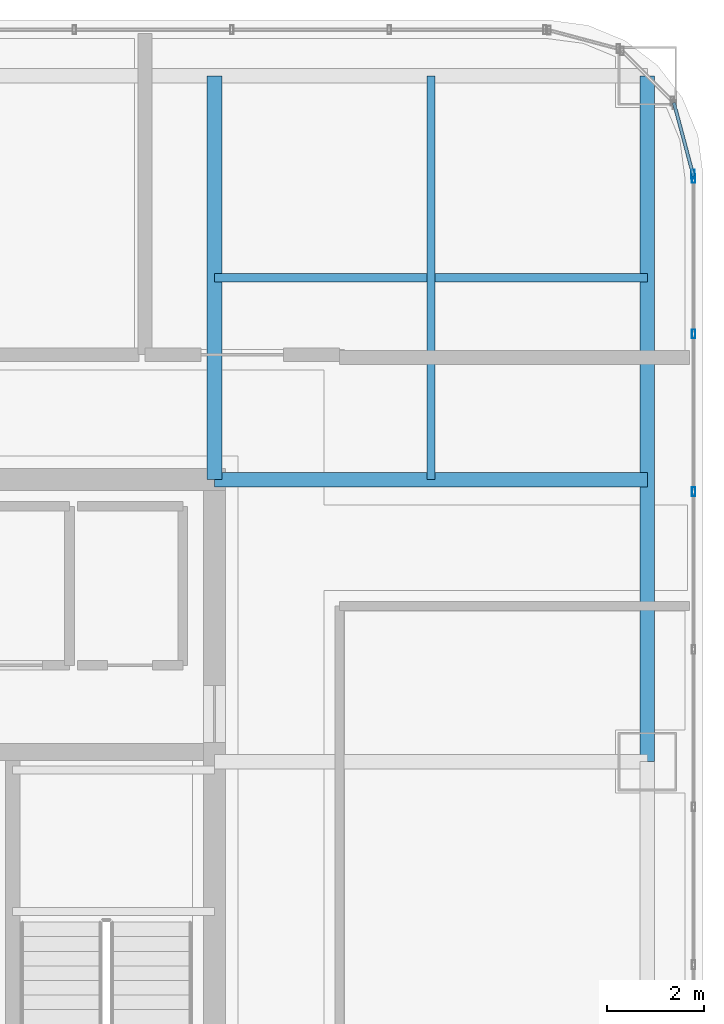
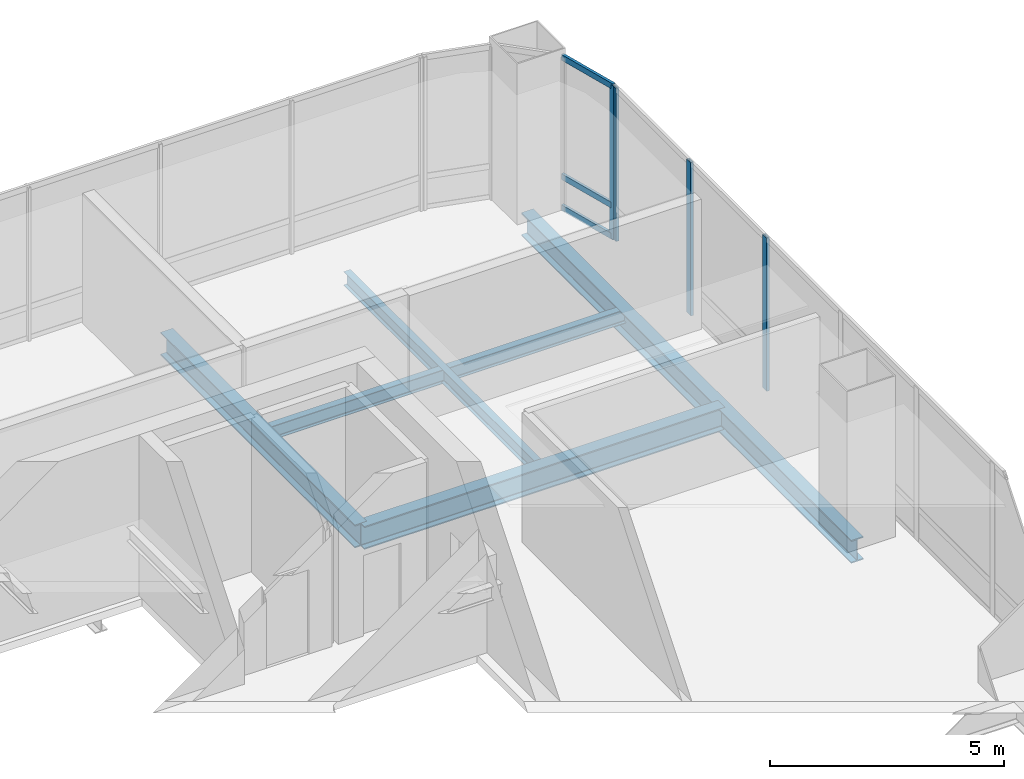
# One storey, part 30 of 42: 7 members, 5 beams, 2 elements without a shape of their own.
"""IFC4 building model written with IfcOpenShell, lengths in metres."""

import ifcopenshell
import ifcopenshell.guid

model = None  # the IFC model being written
_history = None  # IfcOwnerHistory: only IFC2X3 demands one
_inside = {}  # id of a spatial element -> (the spatial element, [elements in it])
_under = {}  # id of a project, library or spatial element -> (it, [spatial elements below it])
_declared = {}  # id of a project -> (the project, [libraries it declares])
_typed = {}  # id of a type object -> (the type object, [elements of that type])
_made_of = {}  # id of a material, layer set ... -> (it, [elements and type objects made of it])


def new_model(schema):
    """Start an empty IFC model of exactly this schema.

    Asked for "IFC4X3", IfcOpenShell would pick the latest addendum, in which some entities
    have other attributes; the version numbers below select the first issue.
    IFC2X3 requires an IfcOwnerHistory on every rooted entity: one is made here for all.
    """
    global model, _history
    if schema == "IFC4X3":
        model = ifcopenshell.file(schema_version=(4, 3, 0, 0))
    else:
        model = ifcopenshell.file(schema=schema)
    _inside.clear()
    _under.clear()
    _declared.clear()
    _typed.clear()
    _made_of.clear()
    _history = None
    if model.schema == "IFC2X3":
        org = make("IfcOrganization", Name="unknown")
        user = make(
            "IfcPersonAndOrganization",
            ThePerson=make("IfcPerson", FamilyName="unknown"),
            TheOrganization=org,
        )
        app = make(
            "IfcApplication",
            ApplicationDeveloper=org,
            Version="unknown",
            ApplicationFullName="unknown",
            ApplicationIdentifier="unknown",
        )
        _history = make(
            "IfcOwnerHistory",
            OwningUser=user,
            OwningApplication=app,
            ChangeAction="ADDED",
            CreationDate=0,
        )
    return model


def make(cls, **values):
    """One entity of the class cls with the attributes given. An attribute that is None is left unset."""
    return model.create_entity(
        cls, **{name: value for name, value in values.items() if value is not None}
    )


def rooted(cls, **values):
    """An entity with a GlobalId (a new one), such as an element, a storey or a relation."""
    return make(cls, GlobalId=ifcopenshell.guid.new(), OwnerHistory=_history, **values)


def si_unit(unit_type, name, prefix=None):
    """IfcSIUnit, for example si_unit("LENGTHUNIT", "METRE", prefix="MILLI")."""
    return make("IfcSIUnit", UnitType=unit_type, Prefix=prefix, Name=name)


def assignment(units):
    """IfcUnitAssignment: the units of a project."""
    return None if units is None else make("IfcUnitAssignment", Units=units)


def point(xyz):
    """IfcCartesianPoint."""
    return None if xyz is None else make("IfcCartesianPoint", Coordinates=xyz)


def direction(xyz):
    """IfcDirection."""
    return None if xyz is None else make("IfcDirection", DirectionRatios=xyz)


def frame(location, z_axis=None, x_axis=None):
    """IfcAxis2Placement3D, a coordinate frame: its origin and axes. An axis left out is left unset."""
    return make(
        "IfcAxis2Placement3D",
        Location=point(location),
        Axis=direction(z_axis),
        RefDirection=direction(x_axis),
    )


def frame_2d(location, x_axis=None):
    """IfcAxis2Placement2D, a coordinate frame in the plane: its origin and x axis."""
    return make(
        "IfcAxis2Placement2D", Location=point(location), RefDirection=direction(x_axis)
    )


def origin():
    """The frame at (0, 0, 0) with its axes left unset."""
    return frame((0.0, 0.0, 0.0))


def origin_2d():
    """The frame at (0, 0) in the plane with its x axis left unset."""
    return frame_2d((0.0, 0.0))


def place(relative_to, where):
    """IfcLocalPlacement: puts the frame where relative to a parent placement (None: the world)."""
    return make(
        "IfcLocalPlacement", PlacementRelTo=relative_to, RelativePlacement=where
    )


def context(
    kind, dimensions, precision=None, world=None, true_north=None, identifier=None
):
    """IfcGeometricRepresentationContext, for example the 3D "Model" context."""
    return make(
        "IfcGeometricRepresentationContext",
        ContextIdentifier=identifier,
        ContextType=kind,
        CoordinateSpaceDimension=dimensions,
        Precision=precision,
        WorldCoordinateSystem=world,
        TrueNorth=true_north,
    )


def subcontext(parent, identifier, kind, view, scale=None):
    """IfcGeometricRepresentationSubContext, for example "Body" below "Model"."""
    return make(
        "IfcGeometricRepresentationSubContext",
        ContextIdentifier=identifier,
        ContextType=kind,
        ParentContext=parent,
        TargetScale=scale,
        TargetView=view,
    )


def project(units=None, contexts=None):
    """IfcProject with its units and contexts."""
    return rooted(
        "IfcProject",
        Name="project",
        RepresentationContexts=contexts,
        UnitsInContext=assignment(units),
    )


def spatial(cls, under=None, at=None, **own):
    """A site, building, storey or space (cls), placed at a placement, below another one or the project."""
    s = rooted(cls, ObjectPlacement=at, **own)
    if under is not None:
        _under.setdefault(under.id(), (under, []))[1].append(s)
    return s


def profile(cls, at=None, kind="AREA", **sizes):
    """A parametric profile (cls). Its sizes go by their IFC names, for example OverallWidth=200.0."""
    return make(cls, ProfileType=kind, Position=at, **sizes)


def hollow_rectangle(**sizes):
    """IfcRectangleHollowProfileDef."""
    return profile("IfcRectangleHollowProfileDef", **sizes)


def i_section(**sizes):
    """IfcIShapeProfileDef."""
    return profile("IfcIShapeProfileDef", **sizes)


def extrude(swept, where, along, depth):
    """IfcExtrudedAreaSolid: the profile swept, set in the frame where, extruded along a direction by depth."""
    return make(
        "IfcExtrudedAreaSolid",
        SweptArea=swept,
        Position=where,
        ExtrudedDirection=direction(along),
        Depth=depth,
    )


def shape(context_of_items, identifier, shape_type, items):
    """IfcShapeRepresentation: the items that make up one representation, for example the "Body"."""
    return make(
        "IfcShapeRepresentation",
        ContextOfItems=context_of_items,
        RepresentationIdentifier=identifier,
        RepresentationType=shape_type,
        Items=items,
    )


def material(Name=None, Category=None):
    """IfcMaterial."""
    return make("IfcMaterial", Name=Name, Category=Category)


def material_profile(
    of_material, cross_section, Name=None, Category=None, Priority=None
):
    """IfcMaterialProfile: a cross section and its material."""
    return make(
        "IfcMaterialProfile",
        Name=Name,
        Material=of_material,
        Profile=cross_section,
        Priority=Priority,
        Category=Category,
    )


def profile_set(profiles, Name=None, composite=None):
    """IfcMaterialProfileSet."""
    return make(
        "IfcMaterialProfileSet",
        Name=Name,
        MaterialProfiles=profiles,
        CompositeProfile=composite,
    )


def made_of(thing, what):
    """Note that an element or type object is made of a material, layer set ...; save() writes the relation."""
    if what is not None:
        _made_of.setdefault(what.id(), (what, []))[1].append(thing)
    return thing


def type_object(cls, material=None, **own):
    """A type object (cls), such as IfcWallType, which elements share."""
    return made_of(rooted(cls, **own), material)


def element(
    cls,
    number,
    at=None,
    inside=None,
    cuts=None,
    type_object=None,
    material=None,
    context=None,
    identifier="Body",
    shape_type=None,
    held_by="IfcProductDefinitionShape",
    body=None,
    shapes=None,
    **own,
):
    """One element of the class cls, such as IfcWall. Its Tag is "e" and its number.

    at: its placement. inside: the storey or other place that contains it. cuts: it is an
    opening in that element (IfcRelVoidsElement). A single representation is given by context,
    identifier, shape_type and body (its items); several are given by shapes. held_by: the class
    of the entity that holds the representations. save() writes the other relations.
    """
    e = rooted(cls, Tag="e%d" % number, ObjectPlacement=at, **own)
    if body is not None:
        shapes = [shape(context, identifier, shape_type, body)]
    if shapes is not None:
        e.Representation = make(held_by, Representations=shapes)
    if inside is not None:
        _inside.setdefault(inside.id(), (inside, []))[1].append(e)
    if cuts is not None:
        rooted(
            "IfcRelVoidsElement", RelatingBuildingElement=cuts, RelatedOpeningElement=e
        )
    if type_object is not None:
        _typed.setdefault(type_object.id(), (type_object, []))[1].append(e)
    return made_of(e, material)


def aggregate(whole, parts):
    """IfcRelAggregates: a whole, such as a stair, and the parts it consists of."""
    return rooted("IfcRelAggregates", RelatingObject=whole, RelatedObjects=parts)


def save(model, path):
    """Write the relations noted so far, then the file.

    IfcRelAggregates (storeys below a building ...), IfcRelContainedInSpatialStructure (elements
    in a storey), IfcRelDefinesByType, IfcRelAssociatesMaterial and IfcRelDeclares: one each for
    every whole, place, type object, material and project.
    """
    for whole, parts in _under.values():
        aggregate(whole, parts)
    for where, things in _inside.values():
        rooted(
            "IfcRelContainedInSpatialStructure",
            RelatedElements=things,
            RelatingStructure=where,
        )
    for kind, things in _typed.values():
        rooted("IfcRelDefinesByType", RelatedObjects=things, RelatingType=kind)
    for what, things in _made_of.values():
        rooted("IfcRelAssociatesMaterial", RelatedObjects=things, RelatingMaterial=what)
    for by, libraries in _declared.values():
        rooted("IfcRelDeclares", RelatingContext=by, RelatedDefinitions=libraries)
    model.write(path)


model = new_model("IFC4")

# Units and contexts
model_context = context("Model", 3, precision=1e-05, world=origin(), true_north=direction((0.0, 1.0)))
body_context = subcontext(model_context, "Body", "Model", "MODEL_VIEW")
ifc_project = project(units=[si_unit("LENGTHUNIT", "METRE"), si_unit("AREAUNIT", "SQUARE_METRE"), si_unit("VOLUMEUNIT", "CUBIC_METRE"), si_unit("PLANEANGLEUNIT", "RADIAN"), si_unit("MASSUNIT", "GRAM", prefix="KILO")], contexts=[model_context])

# Site, building, storey
site_placement = place(None, origin())
site = spatial("IfcSite", under=ifc_project, at=site_placement, CompositionType="ELEMENT")
building_placement = place(site_placement, origin())
building = spatial("IfcBuilding", under=site, at=building_placement, Name="Punatoya Terracotta Tower", CompositionType="ELEMENT")
storey_placement = place(building_placement, frame((0.0, 0.0, 325.800048828125)))
storey = spatial("IfcBuildingStorey", under=building, at=storey_placement, Name="L77", CompositionType="ELEMENT", Elevation=325.800048828125)

# Beams
ifc_material_1 = material(Name="Steel S355", Category="steel")
ifc_material_profile_1 = material_profile(ifc_material_1, i_section(OverallWidth=0.300048828125, OverallDepth=0.60009765625, WebThickness=0.015380859375, FlangeThickness=0.030029296875, FilletRadius=0.01806640625, at=origin_2d()))
ifc_profile_set_1 = profile_set([ifc_material_profile_1], Name="Steel S355")
beam_type_1 = type_object("IfcBeamType", Name="BM-PRI-600", PredefinedType="BEAM", material=ifc_profile_set_1)
beam_1_placement = place(storey_placement, frame((19.10009765625, 3.39990234375, -0.5), z_axis=(0.0, 1.0, 0.0), x_axis=(-1.0, 0.0, 0.0)))
element("IfcBeam", 1, at=beam_1_placement, inside=storey, type_object=beam_type_1, Name="BM-L77-RG-E3", PredefinedType="BEAM", context=body_context, shape_type="SweptSolid", body=[
    extrude(i_section(OverallWidth=0.300048828125, OverallDepth=0.60009765625, WebThickness=0.015380859375, FlangeThickness=0.030029296875, FilletRadius=0.01806640625, at=origin_2d()), origin(), (0.0, 0.0, 1.0), 14.10009765625),
])
beam_2_placement = place(storey_placement, frame((10.199951171875, 9.199951171875, -0.5), z_axis=(1.0, 0.0, 0.0), x_axis=(0.0, 1.0, 0.0)))
element("IfcBeam", 2, at=beam_2_placement, inside=storey, type_object=beam_type_1, Name="BM-L77-PR-EN", PredefinedType="BEAM", context=body_context, shape_type="SweptSolid", body=[
    extrude(i_section(OverallWidth=0.300048828125, OverallDepth=0.60009765625, WebThickness=0.015380859375, FlangeThickness=0.030029296875, FilletRadius=0.01806640625, at=origin_2d()), origin(), (0.0, 0.0, 1.0), 8.900146484375),
])
beam_3_placement = place(storey_placement, frame((10.199951171875, 9.199951171875, -0.5), z_axis=(0.0, 1.0, 0.0), x_axis=(-1.0, 0.0, 0.0)))
element("IfcBeam", 3, at=beam_3_placement, inside=storey, type_object=beam_type_1, Name="BM-L77-PR-N4", PredefinedType="BEAM", context=body_context, shape_type="SweptSolid", body=[
    extrude(i_section(OverallWidth=0.300048828125, OverallDepth=0.60009765625, WebThickness=0.015380859375, FlangeThickness=0.030029296875, FilletRadius=0.01806640625, at=origin_2d()), origin(), (0.0, 0.0, 1.0), 8.300048828125),
])
ifc_material_profile_2 = material_profile(ifc_material_1, i_section(OverallWidth=0.169921875, OverallDepth=0.360107421875, WebThickness=0.008056640625, FlangeThickness=0.0126953125, FilletRadius=0.01806640625, at=origin_2d()))
ifc_profile_set_2 = profile_set([ifc_material_profile_2], Name="Steel S355")
beam_type_2 = type_object("IfcBeamType", Name="BM-SEC-360", PredefinedType="JOIST", material=ifc_profile_set_2)
beam_4_placement = place(storey_placement, frame((10.199951171875, 13.35009765625, -0.380126953125), z_axis=(1.0, 0.0, 0.0), x_axis=(0.0, 1.0, 0.0)))
element("IfcBeam", 4, at=beam_4_placement, inside=storey, type_object=beam_type_2, Name="BM-L77-SJN-2", PredefinedType="JOIST", context=body_context, shape_type="SweptSolid", body=[
    extrude(i_section(OverallWidth=0.169921875, OverallDepth=0.360107421875, WebThickness=0.008056640625, FlangeThickness=0.0126953125, FilletRadius=0.01806640625, at=origin_2d()), origin(), (0.0, 0.0, 1.0), 8.900146484375),
])
beam_5_placement = place(storey_placement, frame((14.64990234375, 9.199951171875, -0.380126953125), z_axis=(0.0, 1.0, 0.0), x_axis=(-1.0, 0.0, 0.0)))
element("IfcBeam", 5, at=beam_5_placement, inside=storey, type_object=beam_type_2, Name="BM-L77-SJE-2", PredefinedType="JOIST", context=body_context, shape_type="SweptSolid", body=[
    extrude(i_section(OverallWidth=0.169921875, OverallDepth=0.360107421875, WebThickness=0.008056640625, FlangeThickness=0.0126953125, FilletRadius=0.01806640625, at=origin_2d()), origin(), (0.0, 0.0, 1.0), 8.300048828125),
])

# Curtain wall, members
ifc_material_2 = material(Name="Aluminium 6063-T6 + Double Low-E Glass", Category="aluminium")
curtain_wall_type = type_object("IfcCurtainWallType", Name="CW-OBS", PredefinedType="NOTDEFINED", material=ifc_material_2)
curtain_wall_1_placement = place(storey_placement, origin())
curtain_wall_1 = element("IfcCurtainWall", 6, at=curtain_wall_1_placement, inside=storey, type_object=curtain_wall_type, Name="L77 Curtain Wall CW-L77-E05-1", PredefinedType="NOTDEFINED")
ifc_material_3 = material(Name="Aluminium 6063-T6", Category="aluminium")
ifc_material_profile_3 = material_profile(ifc_material_3, hollow_rectangle(XDim=0.070068359375, YDim=0.179931640625, WallThickness=0.00390625, at=origin_2d()))
ifc_profile_set_3 = profile_set([ifc_material_profile_3], Name="Aluminium 6063-T6")
member_type_1 = type_object("IfcMemberType", Name="CW-MUL-M3", PredefinedType="MULLION", material=ifc_profile_set_3)
member_1_placement = place(storey_placement, frame((20.050048828125, 8.95068359375, 0.0), z_axis=(0.0, 0.0, 1.0), x_axis=(1.0, 0.0, 0.0)))
member_1 = element("IfcMember", 7, at=member_1_placement, type_object=member_type_1, Name="CW-L77-E05-1 Mullion 09", PredefinedType="MULLION", context=body_context, shape_type="SweptSolid", body=[
    extrude(hollow_rectangle(XDim=0.070068359375, YDim=0.179931640625, WallThickness=0.00390625, at=origin_2d()), origin(), (0.0, 0.0, 1.0), 4.0),
])
member_2_placement = place(storey_placement, frame((20.050048828125, 12.19384765625, 0.0), z_axis=(0.0, 0.0, 1.0), x_axis=(1.0, 0.0, 0.0)))
member_2 = element("IfcMember", 8, at=member_2_placement, type_object=member_type_1, Name="CW-L77-E05-1 Mullion 10", PredefinedType="MULLION", context=body_context, shape_type="SweptSolid", body=[
    extrude(hollow_rectangle(XDim=0.070068359375, YDim=0.179931640625, WallThickness=0.00390625, at=origin_2d()), origin(), (0.0, 0.0, 1.0), 4.0),
])
member_3_placement = place(storey_placement, frame((20.050048828125, 15.391845703125, 0.0), z_axis=(0.0, 0.0, 1.0), x_axis=(1.0, 0.0, 0.0)))
member_3 = element("IfcMember", 9, at=member_3_placement, type_object=member_type_1, Name="CW-L77-E05-1 Mullion 11", PredefinedType="MULLION", context=body_context, shape_type="SweptSolid", body=[
    extrude(hollow_rectangle(XDim=0.070068359375, YDim=0.179931640625, WallThickness=0.00390625, at=origin_2d()), origin(), (0.0, 0.0, 1.0), 4.0),
])
aggregate(curtain_wall_1, [member_1, member_2, member_3])

curtain_wall_2_placement = place(storey_placement, origin())
curtain_wall_2 = element("IfcCurtainWall", 10, at=curtain_wall_2_placement, inside=storey, type_object=curtain_wall_type, Name="L77 Curtain Wall CW-L77-CRN06", PredefinedType="NOTDEFINED")
member_4_placement = place(storey_placement, frame((20.038330078125, 15.48046875, 0.0), z_axis=(0.0, 0.0, 1.0), x_axis=(1.0, 0.0, 0.0)))
member_4 = element("IfcMember", 11, at=member_4_placement, type_object=member_type_1, Name="CW-L77-CRN06 Mullion 00", PredefinedType="MULLION", context=body_context, shape_type="SweptSolid", body=[
    extrude(hollow_rectangle(XDim=0.070068359375, YDim=0.179931640625, WallThickness=0.00390625, at=origin_2d()), origin(), (0.0, 0.0, 1.0), 4.0),
])
ifc_material_profile_4 = material_profile(ifc_material_3, hollow_rectangle(XDim=0.068115234375, YDim=0.14990234375, WallThickness=0.00390625, at=origin_2d()))
ifc_profile_set_4 = profile_set([ifc_material_profile_4], Name="Aluminium 6063-T6")
member_type_2 = type_object("IfcMemberType", Name="CW-TRN-TYP", PredefinedType="USERDEFINED", material=ifc_profile_set_4)
member_5_placement = place(storey_placement, frame((20.050048828125, 15.43701171875, 0.0400390625), z_axis=(-0.257847112249, 0.966185730957, 0.0), x_axis=(-0.966185730957, -0.257847112249, 0.0)))
member_5 = element("IfcMember", 12, at=member_5_placement, type_object=member_type_2, Name="CW-L77-CRN06 Transom 1", ObjectType="TRANSOM", PredefinedType="USERDEFINED", context=body_context, shape_type="SweptSolid", body=[
    extrude(hollow_rectangle(XDim=0.068115234375, YDim=0.14990234375, WallThickness=0.00390625, at=origin_2d()), origin(), (0.0, 0.0, 1.0), 1.565185546875),
])
member_6_placement = place(storey_placement, frame((20.050048828125, 15.43701171875, 0.849853515625), z_axis=(-0.257847112249, 0.966185730957, 0.0), x_axis=(-0.966185730957, -0.257847112249, 0.0)))
member_6 = element("IfcMember", 13, at=member_6_placement, type_object=member_type_2, Name="CW-L77-CRN06 Transom 2", ObjectType="TRANSOM", PredefinedType="USERDEFINED", context=body_context, shape_type="SweptSolid", body=[
    extrude(hollow_rectangle(XDim=0.068115234375, YDim=0.14990234375, WallThickness=0.00390625, at=origin_2d()), origin(), (0.0, 0.0, 1.0), 1.565185546875),
])
member_7_placement = place(storey_placement, frame((20.050048828125, 15.43701171875, 3.9599609375), z_axis=(-0.257847112249, 0.966185730957, 0.0), x_axis=(-0.966185730957, -0.257847112249, 0.0)))
member_7 = element("IfcMember", 14, at=member_7_placement, type_object=member_type_2, Name="CW-L77-CRN06 Transom 3", ObjectType="TRANSOM", PredefinedType="USERDEFINED", context=body_context, shape_type="SweptSolid", body=[
    extrude(hollow_rectangle(XDim=0.068115234375, YDim=0.14990234375, WallThickness=0.00390625, at=origin_2d()), origin(), (0.0, 0.0, 1.0), 1.565185546875),
])
aggregate(curtain_wall_2, [member_4, member_5, member_6, member_7])

save(model, "model.ifc")
